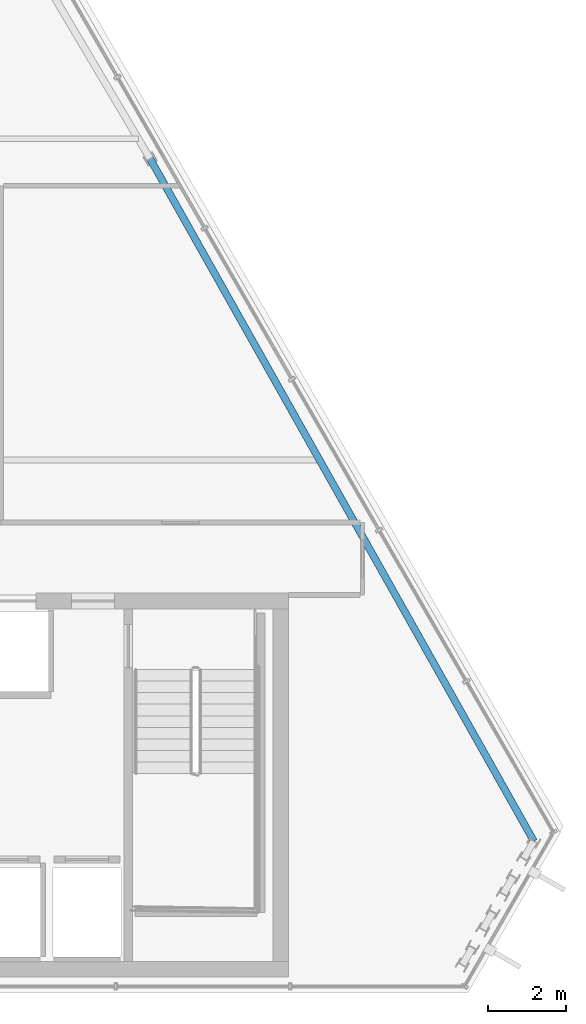
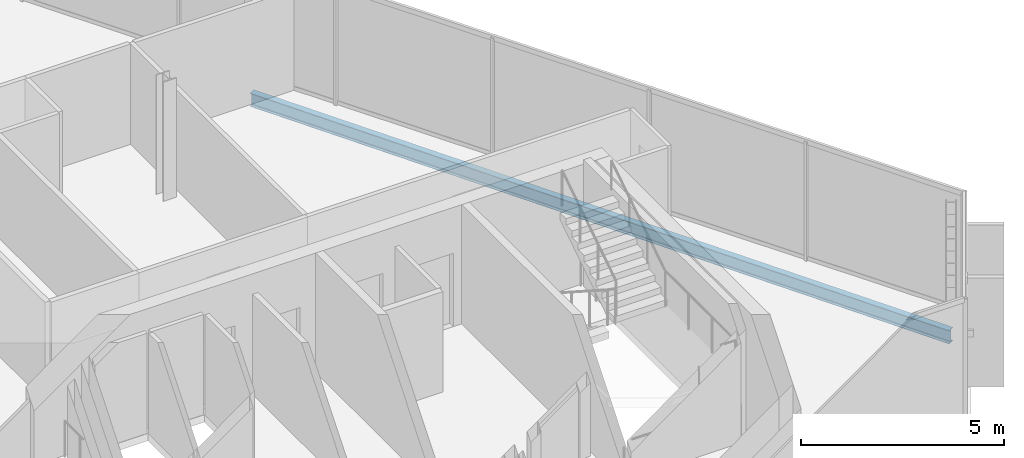
# One storey, part 21 of 32: 1 beam.
"""IFC4 building model written with IfcOpenShell, lengths in metres."""

from ifc_helpers import new_model, si_unit, direction, frame, origin, origin_2d, place, context, subcontext, project, spatial, i_section, extrude, material, material_profile, profile_set, type_object, element, save


model = new_model("IFC4")

# Units and contexts
model_context = context("Model", 3, precision=1e-05, world=origin(), true_north=direction((0.0, 1.0)))
body_context = subcontext(model_context, "Body", "Model", "MODEL_VIEW")
ifc_project = project(units=[si_unit("LENGTHUNIT", "METRE"), si_unit("AREAUNIT", "SQUARE_METRE"), si_unit("VOLUMEUNIT", "CUBIC_METRE"), si_unit("PLANEANGLEUNIT", "RADIAN"), si_unit("MASSUNIT", "GRAM", prefix="KILO")], contexts=[model_context])

# Site, building, storey
site_placement = place(None, origin())
site = spatial("IfcSite", under=ifc_project, at=site_placement, CompositionType="ELEMENT")
building_placement = place(site_placement, origin())
building = spatial("IfcBuilding", under=site, at=building_placement, Name="Ndaravel Arena Tower", CompositionType="ELEMENT")
storey_placement = place(building_placement, frame((0.0, 0.0, 283.300048828125)))
storey = spatial("IfcBuildingStorey", under=building, at=storey_placement, Name="L69", CompositionType="ELEMENT", Elevation=283.300048828125)

# Beam
ifc_material = material(Name="Steel S355", Category="steel")
ifc_material_profile = material_profile(ifc_material, i_section(OverallWidth=0.179931640625, OverallDepth=0.39990234375, WebThickness=0.008544921875, FlangeThickness=0.013427734375, FilletRadius=0.02099609375, at=origin_2d()), Name="IPE 400")
ifc_profile_set = profile_set([ifc_material_profile], Name="Steel S355")
beam_type = type_object("IfcBeamType", Name="BM-SPAN-IPE400", PredefinedType="SPANDREL", material=ifc_profile_set)
beam_placement = place(storey_placement, frame((63.807373046875, 8.869873046875, -0.420166015625), z_axis=(-0.490170744619, 0.871626434386, 0.0), x_axis=(-0.871626434386, -0.490170744619, 0.0)))
element("IfcBeam", 1, at=beam_placement, inside=storey, type_object=beam_type, Name="L69 Perimeter Spandrel Beam SP-09", PredefinedType="SPANDREL", context=body_context, shape_type="SweptSolid", body=[
    extrude(i_section(OverallWidth=0.179931640625, OverallDepth=0.39990234375, WebThickness=0.008544921875, FlangeThickness=0.013427734375, FilletRadius=0.02099609375, at=origin_2d()), origin(), (0.0, 0.0, 1.0), 19.982177734375),
])

save(model, "model.ifc")
